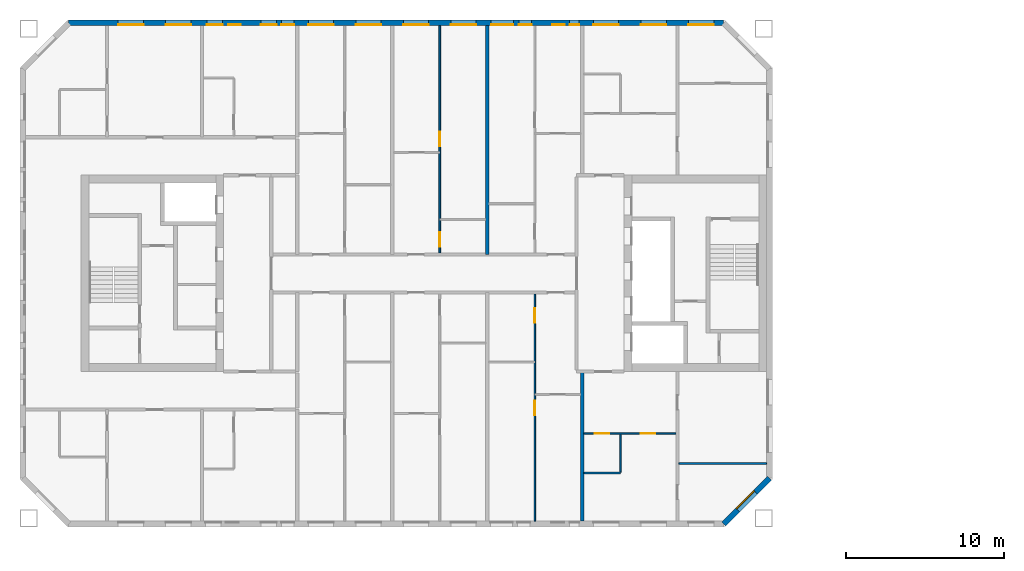
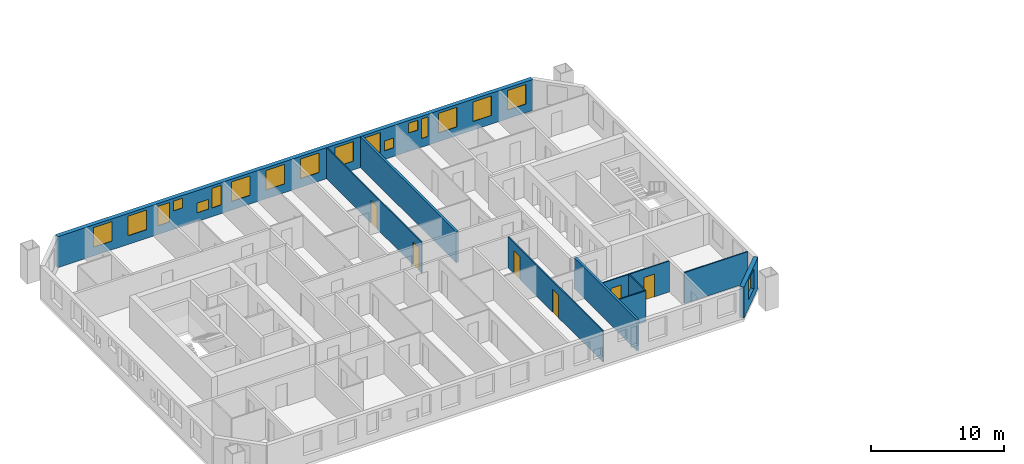
# One storey, part 6 of 16: 18 windows, 10 walls, 6 doors, 24 openings.
"""IFC4 building model written with IfcOpenShell, lengths in metres."""

import ifcopenshell
import ifcopenshell.guid

model = None  # the IFC model being written
_history = None  # IfcOwnerHistory: only IFC2X3 demands one
_inside = {}  # id of a spatial element -> (the spatial element, [elements in it])
_under = {}  # id of a project, library or spatial element -> (it, [spatial elements below it])
_declared = {}  # id of a project -> (the project, [libraries it declares])
_typed = {}  # id of a type object -> (the type object, [elements of that type])
_made_of = {}  # id of a material, layer set ... -> (it, [elements and type objects made of it])


def new_model(schema):
    """Start an empty IFC model of exactly this schema.

    Asked for "IFC4X3", IfcOpenShell would pick the latest addendum, in which some entities
    have other attributes; the version numbers below select the first issue.
    IFC2X3 requires an IfcOwnerHistory on every rooted entity: one is made here for all.
    """
    global model, _history
    if schema == "IFC4X3":
        model = ifcopenshell.file(schema_version=(4, 3, 0, 0))
    else:
        model = ifcopenshell.file(schema=schema)
    _inside.clear()
    _under.clear()
    _declared.clear()
    _typed.clear()
    _made_of.clear()
    _history = None
    if model.schema == "IFC2X3":
        org = make("IfcOrganization", Name="unknown")
        user = make(
            "IfcPersonAndOrganization",
            ThePerson=make("IfcPerson", FamilyName="unknown"),
            TheOrganization=org,
        )
        app = make(
            "IfcApplication",
            ApplicationDeveloper=org,
            Version="unknown",
            ApplicationFullName="unknown",
            ApplicationIdentifier="unknown",
        )
        _history = make(
            "IfcOwnerHistory",
            OwningUser=user,
            OwningApplication=app,
            ChangeAction="ADDED",
            CreationDate=0,
        )
    return model


def make(cls, **values):
    """One entity of the class cls with the attributes given. An attribute that is None is left unset."""
    return model.create_entity(
        cls, **{name: value for name, value in values.items() if value is not None}
    )


def rooted(cls, **values):
    """An entity with a GlobalId (a new one), such as an element, a storey or a relation."""
    return make(cls, GlobalId=ifcopenshell.guid.new(), OwnerHistory=_history, **values)


def si_unit(unit_type, name, prefix=None):
    """IfcSIUnit, for example si_unit("LENGTHUNIT", "METRE", prefix="MILLI")."""
    return make("IfcSIUnit", UnitType=unit_type, Prefix=prefix, Name=name)


def assignment(units):
    """IfcUnitAssignment: the units of a project."""
    return None if units is None else make("IfcUnitAssignment", Units=units)


def point(xyz):
    """IfcCartesianPoint."""
    return None if xyz is None else make("IfcCartesianPoint", Coordinates=xyz)


def direction(xyz):
    """IfcDirection."""
    return None if xyz is None else make("IfcDirection", DirectionRatios=xyz)


def frame(location, z_axis=None, x_axis=None):
    """IfcAxis2Placement3D, a coordinate frame: its origin and axes. An axis left out is left unset."""
    return make(
        "IfcAxis2Placement3D",
        Location=point(location),
        Axis=direction(z_axis),
        RefDirection=direction(x_axis),
    )


def frame_2d(location, x_axis=None):
    """IfcAxis2Placement2D, a coordinate frame in the plane: its origin and x axis."""
    return make(
        "IfcAxis2Placement2D", Location=point(location), RefDirection=direction(x_axis)
    )


def origin():
    """The frame at (0, 0, 0) with its axes left unset."""
    return frame((0.0, 0.0, 0.0))


def place(relative_to, where):
    """IfcLocalPlacement: puts the frame where relative to a parent placement (None: the world)."""
    return make(
        "IfcLocalPlacement", PlacementRelTo=relative_to, RelativePlacement=where
    )


def context(
    kind, dimensions, precision=None, world=None, true_north=None, identifier=None
):
    """IfcGeometricRepresentationContext, for example the 3D "Model" context."""
    return make(
        "IfcGeometricRepresentationContext",
        ContextIdentifier=identifier,
        ContextType=kind,
        CoordinateSpaceDimension=dimensions,
        Precision=precision,
        WorldCoordinateSystem=world,
        TrueNorth=true_north,
    )


def subcontext(parent, identifier, kind, view, scale=None):
    """IfcGeometricRepresentationSubContext, for example "Body" below "Model"."""
    return make(
        "IfcGeometricRepresentationSubContext",
        ContextIdentifier=identifier,
        ContextType=kind,
        ParentContext=parent,
        TargetScale=scale,
        TargetView=view,
    )


def project(units=None, contexts=None):
    """IfcProject with its units and contexts."""
    return rooted(
        "IfcProject",
        Name="project",
        RepresentationContexts=contexts,
        UnitsInContext=assignment(units),
    )


def spatial(cls, under=None, at=None, **own):
    """A site, building, storey or space (cls), placed at a placement, below another one or the project."""
    s = rooted(cls, ObjectPlacement=at, **own)
    if under is not None:
        _under.setdefault(under.id(), (under, []))[1].append(s)
    return s


def profile(cls, at=None, kind="AREA", **sizes):
    """A parametric profile (cls). Its sizes go by their IFC names, for example OverallWidth=200.0."""
    return make(cls, ProfileType=kind, Position=at, **sizes)


def rectangle(**sizes):
    """IfcRectangleProfileDef."""
    return profile("IfcRectangleProfileDef", **sizes)


def extrude(swept, where, along, depth):
    """IfcExtrudedAreaSolid: the profile swept, set in the frame where, extruded along a direction by depth."""
    return make(
        "IfcExtrudedAreaSolid",
        SweptArea=swept,
        Position=where,
        ExtrudedDirection=direction(along),
        Depth=depth,
    )


def shape(context_of_items, identifier, shape_type, items):
    """IfcShapeRepresentation: the items that make up one representation, for example the "Body"."""
    return make(
        "IfcShapeRepresentation",
        ContextOfItems=context_of_items,
        RepresentationIdentifier=identifier,
        RepresentationType=shape_type,
        Items=items,
    )


def material(Name=None, Category=None):
    """IfcMaterial."""
    return make("IfcMaterial", Name=Name, Category=Category)


def layer(
    of_material, thickness, ventilated=None, Name=None, Category=None, Priority=None
):
    """IfcMaterialLayer: one layer of a wall or slab, of a material (None: an air gap)."""
    return make(
        "IfcMaterialLayer",
        Material=of_material,
        LayerThickness=thickness,
        IsVentilated=ventilated,
        Name=Name,
        Category=Category,
        Priority=Priority,
    )


def layer_set(layers, Name=None):
    """IfcMaterialLayerSet."""
    return make("IfcMaterialLayerSet", MaterialLayers=layers, LayerSetName=Name)


def made_of(thing, what):
    """Note that an element or type object is made of a material, layer set ...; save() writes the relation."""
    if what is not None:
        _made_of.setdefault(what.id(), (what, []))[1].append(thing)
    return thing


def type_object(cls, material=None, **own):
    """A type object (cls), such as IfcWallType, which elements share."""
    return made_of(rooted(cls, **own), material)


def element(
    cls,
    number,
    at=None,
    inside=None,
    cuts=None,
    type_object=None,
    material=None,
    context=None,
    identifier="Body",
    shape_type=None,
    held_by="IfcProductDefinitionShape",
    body=None,
    shapes=None,
    **own,
):
    """One element of the class cls, such as IfcWall. Its Tag is "e" and its number.

    at: its placement. inside: the storey or other place that contains it. cuts: it is an
    opening in that element (IfcRelVoidsElement). A single representation is given by context,
    identifier, shape_type and body (its items); several are given by shapes. held_by: the class
    of the entity that holds the representations. save() writes the other relations.
    """
    e = rooted(cls, Tag="e%d" % number, ObjectPlacement=at, **own)
    if body is not None:
        shapes = [shape(context, identifier, shape_type, body)]
    if shapes is not None:
        e.Representation = make(held_by, Representations=shapes)
    if inside is not None:
        _inside.setdefault(inside.id(), (inside, []))[1].append(e)
    if cuts is not None:
        rooted(
            "IfcRelVoidsElement", RelatingBuildingElement=cuts, RelatedOpeningElement=e
        )
    if type_object is not None:
        _typed.setdefault(type_object.id(), (type_object, []))[1].append(e)
    return made_of(e, material)


def fill(opening, filler):
    """IfcRelFillsElement: the door or window that sits in an opening."""
    return rooted(
        "IfcRelFillsElement",
        RelatingOpeningElement=opening,
        RelatedBuildingElement=filler,
    )


def aggregate(whole, parts):
    """IfcRelAggregates: a whole, such as a stair, and the parts it consists of."""
    return rooted("IfcRelAggregates", RelatingObject=whole, RelatedObjects=parts)


def save(model, path):
    """Write the relations noted so far, then the file.

    IfcRelAggregates (storeys below a building ...), IfcRelContainedInSpatialStructure (elements
    in a storey), IfcRelDefinesByType, IfcRelAssociatesMaterial and IfcRelDeclares: one each for
    every whole, place, type object, material and project.
    """
    for whole, parts in _under.values():
        aggregate(whole, parts)
    for where, things in _inside.values():
        rooted(
            "IfcRelContainedInSpatialStructure",
            RelatedElements=things,
            RelatingStructure=where,
        )
    for kind, things in _typed.values():
        rooted("IfcRelDefinesByType", RelatedObjects=things, RelatingType=kind)
    for what, things in _made_of.values():
        rooted("IfcRelAssociatesMaterial", RelatedObjects=things, RelatingMaterial=what)
    for by, libraries in _declared.values():
        rooted("IfcRelDeclares", RelatingContext=by, RelatedDefinitions=libraries)
    model.write(path)


model = new_model("IFC4")

# Units and contexts
model_context = context("Model", 3, precision=1e-05, world=origin(), true_north=direction((0.0, 1.0)))
body_context = subcontext(model_context, "Body", "Model", "MODEL_VIEW")
ifc_project = project(units=[si_unit("LENGTHUNIT", "METRE"), si_unit("AREAUNIT", "SQUARE_METRE"), si_unit("VOLUMEUNIT", "CUBIC_METRE"), si_unit("PLANEANGLEUNIT", "RADIAN"), si_unit("MASSUNIT", "GRAM", prefix="KILO")], contexts=[model_context])

# Site, building, storey
site_placement = place(None, origin())
site = spatial("IfcSite", under=ifc_project, at=site_placement, CompositionType="ELEMENT")
building_placement = place(site_placement, origin())
building = spatial("IfcBuilding", under=site, at=building_placement, Name="Tuart Gate Housing", CompositionType="ELEMENT")
storey_placement = place(building_placement, frame((0.0, 0.0, 157.800048828125)))
storey = spatial("IfcBuildingStorey", under=building, at=storey_placement, Name="L44", CompositionType="ELEMENT", Elevation=157.800048828125)

# Wall, opening, window
ifc_material_1 = material(Name="Brick", Category="masonry")
ifc_layer_1 = layer(ifc_material_1, 0.360107421875)
ifc_layer_set_1 = layer_set([ifc_layer_1], Name="Brick pier and spandrel wall 360")
wall_type_1 = type_object("IfcWallType", Name="Brick pier and spandrel wall 360", PredefinedType="STANDARD", material=ifc_layer_set_1)
wall_1_placement = place(storey_placement, frame((72.92529296875, 54.179931640625, 0.0), z_axis=(0.0, 0.0, 1.0), x_axis=(0.707106781187, 0.707106781187, 0.0)))
wall_1 = element("IfcWall", 1, at=wall_1_placement, inside=storey, type_object=wall_type_1, Name="External wall A-SE L44", PredefinedType="STANDARD", context=body_context, shape_type="SweptSolid", body=[
    extrude(rectangle(XDim=4.09375, YDim=0.360107421875, at=frame_2d((2.046875, 0.0))), origin(), (0.0, 0.0, 1.0), 2.849853515625),
])
opening_1_placement = place(wall_1_placement, frame((1.2470703125, 0.0, 0.800048828125)))
opening_1 = element("IfcOpeningElement", 2, at=opening_1_placement, cuts=wall_1, Name="Opening W1", PredefinedType="OPENING", context=body_context, shape_type="SweptSolid", body=[
    extrude(rectangle(XDim=1.60009765625, YDim=1.800048828125, at=frame_2d((0.800048828125, 0.89990234375))), frame((0.0, 0.18994140625, 0.0), z_axis=(0.0, -1.0, 0.0), x_axis=(1.0, 0.0, 0.0)), (0.0, 0.0, 1.0), 0.380126953125),
])
ifc_material_2 = material(Name="Aluminium frame with clear glass", Category="aluminium")
window_type_1 = type_object("IfcWindowType", Name="Punched window 1600 x 1800", PartitioningType="SINGLE_PANEL", PredefinedType="WINDOW", material=ifc_material_2)
window_1_placement = place(opening_1_placement, origin())
window_1 = element("IfcWindow", 3, at=window_1_placement, inside=storey, type_object=window_type_1, Name="Window W1", OverallHeight=1.800048828125, OverallWidth=1.60009765625, PartitioningType="SINGLE_PANEL", PredefinedType="WINDOW", context=body_context, shape_type="SweptSolid", body=[
    extrude(rectangle(XDim=1.60009765625, YDim=1.800048828125, at=frame_2d((0.800048828125, 0.89990234375))), frame((0.0, 0.150146484375, 0.0), z_axis=(0.0, -1.0, 0.0), x_axis=(1.0, 0.0, 0.0)), (0.0, 0.0, 1.0), 0.06005859375),
])
fill(opening_1, window_1)

# Wall, openings, windows
wall_2_placement = place(storey_placement, frame((72.92529296875, 85.820068359375, 0.0), z_axis=(0.0, 0.0, 1.0), x_axis=(-1.0, 0.0, 0.0)))
wall_2 = element("IfcWall", 4, at=wall_2_placement, inside=storey, type_object=wall_type_1, Name="External wall A-N L44", PredefinedType="STANDARD", context=body_context, shape_type="SweptSolid", body=[
    extrude(rectangle(XDim=41.350830078125, YDim=0.360107421875, at=frame_2d((20.67529296875, 0.0))), origin(), (0.0, 0.0, 1.0), 2.849853515625),
])
opening_2_placement = place(wall_2_placement, frame((0.62548828125, 0.0, 0.800048828125)))
opening_2 = element("IfcOpeningElement", 5, at=opening_2_placement, cuts=wall_2, Name="Opening W1", PredefinedType="OPENING", context=body_context, shape_type="SweptSolid", body=[
    extrude(rectangle(XDim=1.60009765625, YDim=1.800048828125, at=frame_2d((0.800048828125, 0.89990234375))), frame((0.0, 0.18994140625, 0.0), z_axis=(0.0, -1.0, 0.0), x_axis=(1.0, 0.0, 0.0)), (0.0, 0.0, 1.0), 0.380126953125),
])
opening_3_placement = place(wall_2_placement, frame((3.62548828125, 0.0, 0.800048828125)))
opening_3 = element("IfcOpeningElement", 6, at=opening_3_placement, cuts=wall_2, Name="Opening W1", PredefinedType="OPENING", context=body_context, shape_type="SweptSolid", body=[
    extrude(rectangle(XDim=1.60009765625, YDim=1.800048828125, at=frame_2d((0.800048828125, 0.89990234375))), frame((0.0, 0.18994140625, 0.0), z_axis=(0.0, -1.0, 0.0), x_axis=(1.0, 0.0, 0.0)), (0.0, 0.0, 1.0), 0.380126953125),
])
opening_4_placement = place(wall_2_placement, frame((6.62548828125, 0.0, 0.800048828125)))
opening_4 = element("IfcOpeningElement", 7, at=opening_4_placement, cuts=wall_2, Name="Opening W1", PredefinedType="OPENING", context=body_context, shape_type="SweptSolid", body=[
    extrude(rectangle(XDim=1.60009765625, YDim=1.800048828125, at=frame_2d((0.800048828125, 0.89990234375))), frame((0.0, 0.18994140625, 0.0), z_axis=(0.0, -1.0, 0.0), x_axis=(1.0, 0.0, 0.0)), (0.0, 0.0, 1.0), 0.380126953125),
])
opening_5_placement = place(wall_2_placement, frame((9.12548828125, 0.0, 0.800048828125)))
opening_5 = element("IfcOpeningElement", 8, at=opening_5_placement, cuts=wall_2, Name="Opening W1E", PredefinedType="OPENING", context=body_context, shape_type="SweptSolid", body=[
    extrude(rectangle(XDim=0.60009765625, YDim=1.800048828125, at=frame_2d((0.300048828125, 0.89990234375))), frame((0.0, 0.18994140625, 0.0), z_axis=(0.0, -1.0, 0.0), x_axis=(1.0, 0.0, 0.0)), (0.0, 0.0, 1.0), 0.380126953125),
])
opening_6_placement = place(wall_2_placement, frame((12.12548828125, 0.0, 0.800048828125)))
opening_6 = element("IfcOpeningElement", 9, at=opening_6_placement, cuts=wall_2, Name="Opening W1V", PredefinedType="OPENING", context=body_context, shape_type="SweptSolid", body=[
    extrude(rectangle(XDim=0.800048828125, YDim=0.89990234375, at=frame_2d((0.39990234375, 0.449951171875))), frame((0.0, 0.18994140625, 0.0), z_axis=(0.0, -1.0, 0.0), x_axis=(1.0, 0.0, 0.0)), (0.0, 0.0, 1.0), 0.380126953125),
])
opening_7_placement = place(wall_2_placement, frame((15.62548828125, 0.0, 0.800048828125)))
opening_7 = element("IfcOpeningElement", 10, at=opening_7_placement, cuts=wall_2, Name="Opening W1", PredefinedType="OPENING", context=body_context, shape_type="SweptSolid", body=[
    extrude(rectangle(XDim=1.60009765625, YDim=1.800048828125, at=frame_2d((0.800048828125, 0.89990234375))), frame((0.0, 0.18994140625, 0.0), z_axis=(0.0, -1.0, 0.0), x_axis=(1.0, 0.0, 0.0)), (0.0, 0.0, 1.0), 0.380126953125),
])
opening_8_placement = place(wall_2_placement, frame((18.62548828125, 0.0, 0.800048828125)))
opening_8 = element("IfcOpeningElement", 11, at=opening_8_placement, cuts=wall_2, Name="Opening W1", PredefinedType="OPENING", context=body_context, shape_type="SweptSolid", body=[
    extrude(rectangle(XDim=1.60009765625, YDim=1.800048828125, at=frame_2d((0.800048828125, 0.89990234375))), frame((0.0, 0.18994140625, 0.0), z_axis=(0.0, -1.0, 0.0), x_axis=(1.0, 0.0, 0.0)), (0.0, 0.0, 1.0), 0.380126953125),
])
opening_9_placement = place(wall_2_placement, frame((21.62548828125, 0.0, 0.800048828125)))
opening_9 = element("IfcOpeningElement", 12, at=opening_9_placement, cuts=wall_2, Name="Opening W1", PredefinedType="OPENING", context=body_context, shape_type="SweptSolid", body=[
    extrude(rectangle(XDim=1.60009765625, YDim=1.800048828125, at=frame_2d((0.800048828125, 0.89990234375))), frame((0.0, 0.18994140625, 0.0), z_axis=(0.0, -1.0, 0.0), x_axis=(1.0, 0.0, 0.0)), (0.0, 0.0, 1.0), 0.380126953125),
])
opening_10_placement = place(wall_2_placement, frame((24.62548828125, 0.0, 0.800048828125)))
opening_10 = element("IfcOpeningElement", 13, at=opening_10_placement, cuts=wall_2, Name="Opening W1", PredefinedType="OPENING", context=body_context, shape_type="SweptSolid", body=[
    extrude(rectangle(XDim=1.60009765625, YDim=1.800048828125, at=frame_2d((0.800048828125, 0.89990234375))), frame((0.0, 0.18994140625, 0.0), z_axis=(0.0, -1.0, 0.0), x_axis=(1.0, 0.0, 0.0)), (0.0, 0.0, 1.0), 0.380126953125),
])
opening_11_placement = place(wall_2_placement, frame((27.12548828125, 0.0, 0.800048828125)))
opening_11 = element("IfcOpeningElement", 14, at=opening_11_placement, cuts=wall_2, Name="Opening W1D", PredefinedType="OPENING", context=body_context, shape_type="SweptSolid", body=[
    extrude(rectangle(XDim=0.800048828125, YDim=1.800048828125, at=frame_2d((0.39990234375, 0.89990234375))), frame((0.0, 0.18994140625, 0.0), z_axis=(0.0, -1.0, 0.0), x_axis=(1.0, 0.0, 0.0)), (0.0, 0.0, 1.0), 0.380126953125),
])
opening_12_placement = place(wall_2_placement, frame((28.225341796875, 0.0, 0.800048828125)))
opening_12 = element("IfcOpeningElement", 15, at=opening_12_placement, cuts=wall_2, Name="Opening W1U", PredefinedType="OPENING", context=body_context, shape_type="SweptSolid", body=[
    extrude(rectangle(XDim=1.0, YDim=0.89990234375, at=frame_2d((0.5, 0.449951171875))), frame((0.0, 0.18994140625, 0.0), z_axis=(0.0, -1.0, 0.0), x_axis=(1.0, 0.0, 0.0)), (0.0, 0.0, 1.0), 0.380126953125),
])
opening_13_placement = place(wall_2_placement, frame((33.62548828125, 0.0, 0.800048828125)))
opening_13 = element("IfcOpeningElement", 16, at=opening_13_placement, cuts=wall_2, Name="Opening W1", PredefinedType="OPENING", context=body_context, shape_type="SweptSolid", body=[
    extrude(rectangle(XDim=1.60009765625, YDim=1.800048828125, at=frame_2d((0.800048828125, 0.89990234375))), frame((0.0, 0.18994140625, 0.0), z_axis=(0.0, -1.0, 0.0), x_axis=(1.0, 0.0, 0.0)), (0.0, 0.0, 1.0), 0.380126953125),
])
opening_14_placement = place(wall_2_placement, frame((36.62548828125, 0.0, 0.800048828125)))
opening_14 = element("IfcOpeningElement", 17, at=opening_14_placement, cuts=wall_2, Name="Opening W1", PredefinedType="OPENING", context=body_context, shape_type="SweptSolid", body=[
    extrude(rectangle(XDim=1.60009765625, YDim=1.800048828125, at=frame_2d((0.800048828125, 0.89990234375))), frame((0.0, 0.18994140625, 0.0), z_axis=(0.0, -1.0, 0.0), x_axis=(1.0, 0.0, 0.0)), (0.0, 0.0, 1.0), 0.380126953125),
])
opening_15_placement = place(wall_2_placement, frame((10.025390625, 0.0, 1.699951171875)))
opening_15 = element("IfcOpeningElement", 18, at=opening_15_placement, cuts=wall_2, Name="Opening W1V", PredefinedType="OPENING", context=body_context, shape_type="SweptSolid", body=[
    extrude(rectangle(XDim=0.800048828125, YDim=0.89990234375, at=frame_2d((0.39990234375, 0.449951171875))), frame((0.0, 0.18994140625, 0.0), z_axis=(0.0, -1.0, 0.0), x_axis=(1.0, 0.0, 0.0)), (0.0, 0.0, 1.0), 0.380126953125),
])
opening_16_placement = place(wall_2_placement, frame((13.275390625, 0.0, 0.800048828125)))
opening_16 = element("IfcOpeningElement", 19, at=opening_16_placement, cuts=wall_2, Name="Opening W1A", PredefinedType="OPENING", context=body_context, shape_type="SweptSolid", body=[
    extrude(rectangle(XDim=1.39990234375, YDim=1.800048828125, at=frame_2d((0.699951171875, 0.89990234375))), frame((0.0, 0.18994140625, 0.0), z_axis=(0.0, -1.0, 0.0), x_axis=(1.0, 0.0, 0.0)), (0.0, 0.0, 1.0), 0.380126953125),
])
opening_17_placement = place(wall_2_placement, frame((30.475341796875, 0.0, 1.699951171875)))
opening_17 = element("IfcOpeningElement", 20, at=opening_17_placement, cuts=wall_2, Name="Opening W1V", PredefinedType="OPENING", context=body_context, shape_type="SweptSolid", body=[
    extrude(rectangle(XDim=0.800048828125, YDim=0.89990234375, at=frame_2d((0.39990234375, 0.449951171875))), frame((0.0, 0.18994140625, 0.0), z_axis=(0.0, -1.0, 0.0), x_axis=(1.0, 0.0, 0.0)), (0.0, 0.0, 1.0), 0.380126953125),
])
opening_18_placement = place(wall_2_placement, frame((31.62548828125, 0.0, 0.800048828125)))
opening_18 = element("IfcOpeningElement", 21, at=opening_18_placement, cuts=wall_2, Name="Opening W1C", PredefinedType="OPENING", context=body_context, shape_type="SweptSolid", body=[
    extrude(rectangle(XDim=1.0, YDim=1.800048828125, at=frame_2d((0.5, 0.89990234375))), frame((0.0, 0.18994140625, 0.0), z_axis=(0.0, -1.0, 0.0), x_axis=(1.0, 0.0, 0.0)), (0.0, 0.0, 1.0), 0.380126953125),
])
ifc_material_3 = material(Name="Aluminium frame with clear glass", Category="aluminium")
window_type_2 = type_object("IfcWindowType", Name="Punched window 1000 x 1800", PartitioningType="SINGLE_PANEL", PredefinedType="WINDOW", material=ifc_material_3)
window_2_placement = place(opening_18_placement, origin())
window_2 = element("IfcWindow", 22, at=window_2_placement, inside=storey, type_object=window_type_2, Name="Window W1C", OverallHeight=1.800048828125, OverallWidth=1.0, PartitioningType="SINGLE_PANEL", PredefinedType="WINDOW", context=body_context, shape_type="SweptSolid", body=[
    extrude(rectangle(XDim=1.0, YDim=1.800048828125, at=frame_2d((0.5, 0.89990234375))), frame((0.0, 0.150146484375, 0.0), z_axis=(0.0, -1.0, 0.0), x_axis=(1.0, 0.0, 0.0)), (0.0, 0.0, 1.0), 0.06005859375),
])
fill(opening_18, window_2)
ifc_material_4 = material(Name="Aluminium frame with clear glass", Category="aluminium")
window_type_3 = type_object("IfcWindowType", Name="Punched window 1000 x 900", PartitioningType="SINGLE_PANEL", PredefinedType="WINDOW", material=ifc_material_4)
window_3_placement = place(opening_12_placement, origin())
window_3 = element("IfcWindow", 23, at=window_3_placement, inside=storey, type_object=window_type_3, Name="Window W1U", OverallHeight=0.89990234375, OverallWidth=1.0, PartitioningType="SINGLE_PANEL", PredefinedType="WINDOW", context=body_context, shape_type="SweptSolid", body=[
    extrude(rectangle(XDim=1.0, YDim=0.89990234375, at=frame_2d((0.5, 0.449951171875))), frame((0.0, 0.150146484375, 0.0), z_axis=(0.0, -1.0, 0.0), x_axis=(1.0, 0.0, 0.0)), (0.0, 0.0, 1.0), 0.06005859375),
])
fill(opening_12, window_3)
ifc_material_5 = material(Name="Aluminium frame with clear glass", Category="aluminium")
window_type_4 = type_object("IfcWindowType", Name="Punched window 1400 x 1800", PartitioningType="SINGLE_PANEL", PredefinedType="WINDOW", material=ifc_material_5)
window_4_placement = place(opening_16_placement, origin())
window_4 = element("IfcWindow", 24, at=window_4_placement, inside=storey, type_object=window_type_4, Name="Window W1A", OverallHeight=1.800048828125, OverallWidth=1.39990234375, PartitioningType="SINGLE_PANEL", PredefinedType="WINDOW", context=body_context, shape_type="SweptSolid", body=[
    extrude(rectangle(XDim=1.39990234375, YDim=1.800048828125, at=frame_2d((0.699951171875, 0.89990234375))), frame((0.0, 0.150146484375, 0.0), z_axis=(0.0, -1.0, 0.0), x_axis=(1.0, 0.0, 0.0)), (0.0, 0.0, 1.0), 0.06005859375),
])
fill(opening_16, window_4)
window_5_placement = place(opening_2_placement, origin())
window_5 = element("IfcWindow", 25, at=window_5_placement, inside=storey, type_object=window_type_1, Name="Window W1", OverallHeight=1.800048828125, OverallWidth=1.60009765625, PartitioningType="SINGLE_PANEL", PredefinedType="WINDOW", context=body_context, shape_type="SweptSolid", body=[
    extrude(rectangle(XDim=1.60009765625, YDim=1.800048828125, at=frame_2d((0.800048828125, 0.89990234375))), frame((0.0, 0.150146484375, 0.0), z_axis=(0.0, -1.0, 0.0), x_axis=(1.0, 0.0, 0.0)), (0.0, 0.0, 1.0), 0.06005859375),
])
fill(opening_2, window_5)
window_6_placement = place(opening_3_placement, origin())
window_6 = element("IfcWindow", 26, at=window_6_placement, inside=storey, type_object=window_type_1, Name="Window W1", OverallHeight=1.800048828125, OverallWidth=1.60009765625, PartitioningType="SINGLE_PANEL", PredefinedType="WINDOW", context=body_context, shape_type="SweptSolid", body=[
    extrude(rectangle(XDim=1.60009765625, YDim=1.800048828125, at=frame_2d((0.800048828125, 0.89990234375))), frame((0.0, 0.150146484375, 0.0), z_axis=(0.0, -1.0, 0.0), x_axis=(1.0, 0.0, 0.0)), (0.0, 0.0, 1.0), 0.06005859375),
])
fill(opening_3, window_6)
window_7_placement = place(opening_4_placement, origin())
window_7 = element("IfcWindow", 27, at=window_7_placement, inside=storey, type_object=window_type_1, Name="Window W1", OverallHeight=1.800048828125, OverallWidth=1.60009765625, PartitioningType="SINGLE_PANEL", PredefinedType="WINDOW", context=body_context, shape_type="SweptSolid", body=[
    extrude(rectangle(XDim=1.60009765625, YDim=1.800048828125, at=frame_2d((0.800048828125, 0.89990234375))), frame((0.0, 0.150146484375, 0.0), z_axis=(0.0, -1.0, 0.0), x_axis=(1.0, 0.0, 0.0)), (0.0, 0.0, 1.0), 0.06005859375),
])
fill(opening_4, window_7)
window_8_placement = place(opening_7_placement, origin())
window_8 = element("IfcWindow", 28, at=window_8_placement, inside=storey, type_object=window_type_1, Name="Window W1", OverallHeight=1.800048828125, OverallWidth=1.60009765625, PartitioningType="SINGLE_PANEL", PredefinedType="WINDOW", context=body_context, shape_type="SweptSolid", body=[
    extrude(rectangle(XDim=1.60009765625, YDim=1.800048828125, at=frame_2d((0.800048828125, 0.89990234375))), frame((0.0, 0.150146484375, 0.0), z_axis=(0.0, -1.0, 0.0), x_axis=(1.0, 0.0, 0.0)), (0.0, 0.0, 1.0), 0.06005859375),
])
fill(opening_7, window_8)
window_9_placement = place(opening_8_placement, origin())
window_9 = element("IfcWindow", 29, at=window_9_placement, inside=storey, type_object=window_type_1, Name="Window W1", OverallHeight=1.800048828125, OverallWidth=1.60009765625, PartitioningType="SINGLE_PANEL", PredefinedType="WINDOW", context=body_context, shape_type="SweptSolid", body=[
    extrude(rectangle(XDim=1.60009765625, YDim=1.800048828125, at=frame_2d((0.800048828125, 0.89990234375))), frame((0.0, 0.150146484375, 0.0), z_axis=(0.0, -1.0, 0.0), x_axis=(1.0, 0.0, 0.0)), (0.0, 0.0, 1.0), 0.06005859375),
])
fill(opening_8, window_9)
window_10_placement = place(opening_9_placement, origin())
window_10 = element("IfcWindow", 30, at=window_10_placement, inside=storey, type_object=window_type_1, Name="Window W1", OverallHeight=1.800048828125, OverallWidth=1.60009765625, PartitioningType="SINGLE_PANEL", PredefinedType="WINDOW", context=body_context, shape_type="SweptSolid", body=[
    extrude(rectangle(XDim=1.60009765625, YDim=1.800048828125, at=frame_2d((0.800048828125, 0.89990234375))), frame((0.0, 0.150146484375, 0.0), z_axis=(0.0, -1.0, 0.0), x_axis=(1.0, 0.0, 0.0)), (0.0, 0.0, 1.0), 0.06005859375),
])
fill(opening_9, window_10)
window_11_placement = place(opening_10_placement, origin())
window_11 = element("IfcWindow", 31, at=window_11_placement, inside=storey, type_object=window_type_1, Name="Window W1", OverallHeight=1.800048828125, OverallWidth=1.60009765625, PartitioningType="SINGLE_PANEL", PredefinedType="WINDOW", context=body_context, shape_type="SweptSolid", body=[
    extrude(rectangle(XDim=1.60009765625, YDim=1.800048828125, at=frame_2d((0.800048828125, 0.89990234375))), frame((0.0, 0.150146484375, 0.0), z_axis=(0.0, -1.0, 0.0), x_axis=(1.0, 0.0, 0.0)), (0.0, 0.0, 1.0), 0.06005859375),
])
fill(opening_10, window_11)
window_12_placement = place(opening_13_placement, origin())
window_12 = element("IfcWindow", 32, at=window_12_placement, inside=storey, type_object=window_type_1, Name="Window W1", OverallHeight=1.800048828125, OverallWidth=1.60009765625, PartitioningType="SINGLE_PANEL", PredefinedType="WINDOW", context=body_context, shape_type="SweptSolid", body=[
    extrude(rectangle(XDim=1.60009765625, YDim=1.800048828125, at=frame_2d((0.800048828125, 0.89990234375))), frame((0.0, 0.150146484375, 0.0), z_axis=(0.0, -1.0, 0.0), x_axis=(1.0, 0.0, 0.0)), (0.0, 0.0, 1.0), 0.06005859375),
])
fill(opening_13, window_12)
window_13_placement = place(opening_14_placement, origin())
window_13 = element("IfcWindow", 33, at=window_13_placement, inside=storey, type_object=window_type_1, Name="Window W1", OverallHeight=1.800048828125, OverallWidth=1.60009765625, PartitioningType="SINGLE_PANEL", PredefinedType="WINDOW", context=body_context, shape_type="SweptSolid", body=[
    extrude(rectangle(XDim=1.60009765625, YDim=1.800048828125, at=frame_2d((0.800048828125, 0.89990234375))), frame((0.0, 0.150146484375, 0.0), z_axis=(0.0, -1.0, 0.0), x_axis=(1.0, 0.0, 0.0)), (0.0, 0.0, 1.0), 0.06005859375),
])
fill(opening_14, window_13)
ifc_material_6 = material(Name="Aluminium frame with clear glass", Category="aluminium")
window_type_5 = type_object("IfcWindowType", Name="Punched window 600 x 1800", PartitioningType="SINGLE_PANEL", PredefinedType="WINDOW", material=ifc_material_6)
window_14_placement = place(opening_5_placement, origin())
window_14 = element("IfcWindow", 34, at=window_14_placement, inside=storey, type_object=window_type_5, Name="Window W1E", OverallHeight=1.800048828125, OverallWidth=0.60009765625, PartitioningType="SINGLE_PANEL", PredefinedType="WINDOW", context=body_context, shape_type="SweptSolid", body=[
    extrude(rectangle(XDim=0.60009765625, YDim=1.800048828125, at=frame_2d((0.300048828125, 0.89990234375))), frame((0.0, 0.150146484375, 0.0), z_axis=(0.0, -1.0, 0.0), x_axis=(1.0, 0.0, 0.0)), (0.0, 0.0, 1.0), 0.06005859375),
])
fill(opening_5, window_14)
ifc_material_7 = material(Name="Aluminium frame with clear glass", Category="aluminium")
window_type_6 = type_object("IfcWindowType", Name="Punched window 800 x 1800", PartitioningType="SINGLE_PANEL", PredefinedType="WINDOW", material=ifc_material_7)
window_15_placement = place(opening_11_placement, origin())
window_15 = element("IfcWindow", 35, at=window_15_placement, inside=storey, type_object=window_type_6, Name="Window W1D", OverallHeight=1.800048828125, OverallWidth=0.800048828125, PartitioningType="SINGLE_PANEL", PredefinedType="WINDOW", context=body_context, shape_type="SweptSolid", body=[
    extrude(rectangle(XDim=0.800048828125, YDim=1.800048828125, at=frame_2d((0.39990234375, 0.89990234375))), frame((0.0, 0.150146484375, 0.0), z_axis=(0.0, -1.0, 0.0), x_axis=(1.0, 0.0, 0.0)), (0.0, 0.0, 1.0), 0.06005859375),
])
fill(opening_11, window_15)
ifc_material_8 = material(Name="Aluminium frame with clear glass", Category="aluminium")
window_type_7 = type_object("IfcWindowType", Name="Punched window 800 x 900", PartitioningType="SINGLE_PANEL", PredefinedType="WINDOW", material=ifc_material_8)
window_16_placement = place(opening_6_placement, origin())
window_16 = element("IfcWindow", 36, at=window_16_placement, inside=storey, type_object=window_type_7, Name="Window W1V", OverallHeight=0.89990234375, OverallWidth=0.800048828125, PartitioningType="SINGLE_PANEL", PredefinedType="WINDOW", context=body_context, shape_type="SweptSolid", body=[
    extrude(rectangle(XDim=0.800048828125, YDim=0.89990234375, at=frame_2d((0.39990234375, 0.449951171875))), frame((0.0, 0.150146484375, 0.0), z_axis=(0.0, -1.0, 0.0), x_axis=(1.0, 0.0, 0.0)), (0.0, 0.0, 1.0), 0.06005859375),
])
fill(opening_6, window_16)
window_17_placement = place(opening_15_placement, origin())
window_17 = element("IfcWindow", 37, at=window_17_placement, inside=storey, type_object=window_type_7, Name="Window W1V", OverallHeight=0.89990234375, OverallWidth=0.800048828125, PartitioningType="SINGLE_PANEL", PredefinedType="WINDOW", context=body_context, shape_type="SweptSolid", body=[
    extrude(rectangle(XDim=0.800048828125, YDim=0.89990234375, at=frame_2d((0.39990234375, 0.449951171875))), frame((0.0, 0.150146484375, 0.0), z_axis=(0.0, -1.0, 0.0), x_axis=(1.0, 0.0, 0.0)), (0.0, 0.0, 1.0), 0.06005859375),
])
fill(opening_15, window_17)
window_18_placement = place(opening_17_placement, origin())
window_18 = element("IfcWindow", 38, at=window_18_placement, inside=storey, type_object=window_type_7, Name="Window W1V", OverallHeight=0.89990234375, OverallWidth=0.800048828125, PartitioningType="SINGLE_PANEL", PredefinedType="WINDOW", context=body_context, shape_type="SweptSolid", body=[
    extrude(rectangle(XDim=0.800048828125, YDim=0.89990234375, at=frame_2d((0.39990234375, 0.449951171875))), frame((0.0, 0.150146484375, 0.0), z_axis=(0.0, -1.0, 0.0), x_axis=(1.0, 0.0, 0.0)), (0.0, 0.0, 1.0), 0.06005859375),
])
fill(opening_17, window_18)

# Walls
ifc_material_9 = material(Name="Gypsum board on steel studs", Category="steel")
ifc_layer_2 = layer(ifc_material_9, 0.10009765625)
ifc_layer_set_2 = layer_set([ifc_layer_2], Name="Partition 100")
wall_type_2 = type_object("IfcWallType", Name="Partition 100", PredefinedType="PARTITIONING", material=ifc_layer_set_2)
wall_3_placement = place(storey_placement, frame((64.10009765625, 57.39990234375, 0.0), z_axis=(0.0, 0.0, 1.0), x_axis=(1.0, 0.0, 0.0)))
element("IfcWall", 39, at=wall_3_placement, inside=storey, type_object=wall_type_2, Name="Partition 100", PredefinedType="PARTITIONING", context=body_context, shape_type="SweptSolid", body=[
    extrude(rectangle(XDim=2.2998046875, YDim=0.10009765625, at=frame_2d((1.14990234375, 0.0))), origin(), (0.0, 0.0, 1.0), 2.849853515625),
])
wall_4_placement = place(storey_placement, frame((70.10009765625, 58.0, 0.0), z_axis=(0.0, 0.0, 1.0), x_axis=(1.0, 0.0, 0.0)))
element("IfcWall", 40, at=wall_4_placement, inside=storey, type_object=wall_type_2, Name="Partition 100", PredefinedType="PARTITIONING", context=body_context, shape_type="SweptSolid", body=[
    extrude(rectangle(XDim=5.539794921875, YDim=0.10009765625, at=frame_2d((2.77001953125, 0.0))), origin(), (0.0, 0.0, 1.0), 2.849853515625),
])

# Wall, openings, doors
wall_5_placement = place(storey_placement, frame((64.10009765625, 59.89990234375, 0.0), z_axis=(0.0, 0.0, 1.0), x_axis=(1.0, 0.0, 0.0)))
wall_5 = element("IfcWall", 41, at=wall_5_placement, inside=storey, type_object=wall_type_2, Name="Partition 100", PredefinedType="PARTITIONING", context=body_context, shape_type="SweptSolid", body=[
    extrude(rectangle(XDim=5.7998046875, YDim=0.10009765625, at=frame_2d((2.89990234375, 0.0))), origin(), (0.0, 0.0, 1.0), 2.849853515625),
])
opening_19_placement = place(wall_5_placement, frame((3.60009765625, 0.0, 0.0)))
opening_19 = element("IfcOpeningElement", 42, at=opening_19_placement, cuts=wall_5, Name="Opening D1675", PredefinedType="OPENING", context=body_context, shape_type="SweptSolid", body=[
    extrude(rectangle(XDim=0.89990234375, YDim=2.10009765625, at=frame_2d((0.449951171875, 1.050048828125))), frame((0.0, 0.06005859375, 0.0), z_axis=(0.0, -1.0, 0.0), x_axis=(1.0, 0.0, 0.0)), (0.0, 0.0, 1.0), 0.1201171875),
])
opening_20_placement = place(wall_5_placement, frame((0.699951171875, 0.0, 0.0)))
opening_20 = element("IfcOpeningElement", 43, at=opening_20_placement, cuts=wall_5, Name="Opening D1674", PredefinedType="OPENING", context=body_context, shape_type="SweptSolid", body=[
    extrude(rectangle(XDim=0.89990234375, YDim=2.10009765625, at=frame_2d((0.449951171875, 1.050048828125))), frame((0.0, 0.06005859375, 0.0), z_axis=(0.0, -1.0, 0.0), x_axis=(1.0, 0.0, 0.0)), (0.0, 0.0, 1.0), 0.1201171875),
])
ifc_material_10 = material(Name="Timber door leaf in steel frame", Category="steel")
door_type_1 = type_object("IfcDoorType", Name="Bathroom door 900", OperationType="SINGLE_SWING_LEFT", PredefinedType="DOOR", material=ifc_material_10)
door_1_placement = place(opening_20_placement, frame((0.89990234375, 0.0, 0.0), z_axis=(0.0, 0.0, 1.0), x_axis=(-1.0, 0.0, 0.0)))
door_1 = element("IfcDoor", 44, at=door_1_placement, inside=storey, type_object=door_type_1, Name="Bathroom door", OperationType="SINGLE_SWING_LEFT", OverallHeight=2.10009765625, OverallWidth=0.89990234375, PredefinedType="DOOR", context=body_context, shape_type="SweptSolid", body=[
    extrude(rectangle(XDim=0.89990234375, YDim=2.10009765625, at=frame_2d((0.449951171875, 1.050048828125))), frame((0.0, 0.025146484375, 0.0), z_axis=(0.0, -1.0, 0.0), x_axis=(1.0, 0.0, 0.0)), (0.0, 0.0, 1.0), 0.050048828125),
])
fill(opening_20, door_1)
ifc_material_11 = material(Name="Timber door leaf in steel frame", Category="steel")
door_type_2 = type_object("IfcDoorType", Name="Internal door 900 RH", OperationType="SINGLE_SWING_RIGHT", PredefinedType="DOOR", material=ifc_material_11)
door_2_placement = place(opening_19_placement, origin())
door_2 = element("IfcDoor", 45, at=door_2_placement, inside=storey, type_object=door_type_2, Name="Internal door", OperationType="SINGLE_SWING_RIGHT", OverallHeight=2.10009765625, OverallWidth=0.89990234375, PredefinedType="DOOR", context=body_context, shape_type="SweptSolid", body=[
    extrude(rectangle(XDim=0.89990234375, YDim=2.10009765625, at=frame_2d((0.449951171875, 1.050048828125))), frame((0.0, 0.02490234375, 0.0), z_axis=(0.0, -1.0, 0.0), x_axis=(1.0, 0.0, 0.0)), (0.0, 0.0, 1.0), 0.050048828125),
])
fill(opening_19, door_2)

wall_6_placement = place(storey_placement, frame((55.0, 71.300048828125, 0.0), z_axis=(0.0, 0.0, 1.0), x_axis=(0.0, 1.0, 0.0)))
wall_6 = element("IfcWall", 46, at=wall_6_placement, inside=storey, type_object=wall_type_2, Name="Partition 100", PredefinedType="PARTITIONING", context=body_context, shape_type="SweptSolid", body=[
    extrude(rectangle(XDim=14.33984375, YDim=0.10009765625, at=frame_2d((7.169921875, 0.0))), origin(), (0.0, 0.0, 1.0), 2.849853515625),
])
opening_21_placement = place(wall_6_placement, frame((6.739990234375, 0.0, 0.0)))
opening_21 = element("IfcOpeningElement", 47, at=opening_21_placement, cuts=wall_6, Name="Opening D1637", PredefinedType="OPENING", context=body_context, shape_type="SweptSolid", body=[
    extrude(rectangle(XDim=0.89990234375, YDim=2.10009765625, at=frame_2d((0.449951171875, 1.050048828125))), frame((0.0, 0.06005859375, 0.0), z_axis=(0.0, -1.0, 0.0), x_axis=(1.0, 0.0, 0.0)), (0.0, 0.0, 1.0), 0.1201171875),
])
opening_22_placement = place(wall_6_placement, frame((0.39990234375, 0.0, 0.0)))
opening_22 = element("IfcOpeningElement", 48, at=opening_22_placement, cuts=wall_6, Name="Opening D1636", PredefinedType="OPENING", context=body_context, shape_type="SweptSolid", body=[
    extrude(rectangle(XDim=0.89990234375, YDim=2.10009765625, at=frame_2d((0.449951171875, 1.050048828125))), frame((0.0, 0.06005859375, 0.0), z_axis=(0.0, -1.0, 0.0), x_axis=(1.0, 0.0, 0.0)), (0.0, 0.0, 1.0), 0.1201171875),
])
ifc_material_12 = material(Name="Timber door leaf in steel frame", Category="steel")
door_type_3 = type_object("IfcDoorType", Name="Bathroom door 900 RH", OperationType="SINGLE_SWING_RIGHT", PredefinedType="DOOR", material=ifc_material_12)
door_3_placement = place(opening_22_placement, frame((0.89990234375, 0.0, 0.0), z_axis=(0.0, 0.0, 1.0), x_axis=(-1.0, 0.0, 0.0)))
door_3 = element("IfcDoor", 49, at=door_3_placement, inside=storey, type_object=door_type_3, Name="Bathroom door", OperationType="SINGLE_SWING_RIGHT", OverallHeight=2.10009765625, OverallWidth=0.89990234375, PredefinedType="DOOR", context=body_context, shape_type="SweptSolid", body=[
    extrude(rectangle(XDim=0.89990234375, YDim=2.10009765625, at=frame_2d((0.449951171875, 1.050048828125))), frame((0.0, 0.025146484375, 0.0), z_axis=(0.0, -1.0, 0.0), x_axis=(1.0, 0.0, 0.0)), (0.0, 0.0, 1.0), 0.050048828125),
])
fill(opening_22, door_3)
door_4_placement = place(opening_21_placement, frame((0.89990234375, 0.0, 0.0), z_axis=(0.0, 0.0, 1.0), x_axis=(-1.0, 0.0, 0.0)))
door_4 = element("IfcDoor", 50, at=door_4_placement, inside=storey, type_object=door_type_2, Name="Internal door", OperationType="SINGLE_SWING_RIGHT", OverallHeight=2.10009765625, OverallWidth=0.89990234375, PredefinedType="DOOR", context=body_context, shape_type="SweptSolid", body=[
    extrude(rectangle(XDim=0.89990234375, YDim=2.10009765625, at=frame_2d((0.449951171875, 1.050048828125))), frame((0.0, 0.025146484375, 0.0), z_axis=(0.0, -1.0, 0.0), x_axis=(1.0, 0.0, 0.0)), (0.0, 0.0, 1.0), 0.050048828125),
])
fill(opening_21, door_4)

wall_7_placement = place(storey_placement, frame((61.0, 54.360107421875, 0.0), z_axis=(0.0, 0.0, 1.0), x_axis=(0.0, 1.0, 0.0)))
wall_7 = element("IfcWall", 51, at=wall_7_placement, inside=storey, type_object=wall_type_2, Name="Partition 100", PredefinedType="PARTITIONING", context=body_context, shape_type="SweptSolid", body=[
    extrude(rectangle(XDim=14.33984375, YDim=0.10009765625, at=frame_2d((7.169921875, 0.0))), origin(), (0.0, 0.0, 1.0), 2.849853515625),
])
opening_23_placement = place(wall_7_placement, frame((6.699951171875, 0.0, 0.0)))
opening_23 = element("IfcOpeningElement", 52, at=opening_23_placement, cuts=wall_7, Name="Opening D1669", PredefinedType="OPENING", context=body_context, shape_type="SweptSolid", body=[
    extrude(rectangle(XDim=0.89990234375, YDim=2.10009765625, at=frame_2d((0.449951171875, 1.050048828125))), frame((0.0, 0.06005859375, 0.0), z_axis=(0.0, -1.0, 0.0), x_axis=(1.0, 0.0, 0.0)), (0.0, 0.0, 1.0), 0.1201171875),
])
opening_24_placement = place(wall_7_placement, frame((12.5400390625, 0.0, 0.0)))
opening_24 = element("IfcOpeningElement", 53, at=opening_24_placement, cuts=wall_7, Name="Opening D1668", PredefinedType="OPENING", context=body_context, shape_type="SweptSolid", body=[
    extrude(rectangle(XDim=0.89990234375, YDim=2.10009765625, at=frame_2d((0.449951171875, 1.050048828125))), frame((0.0, 0.06005859375, 0.0), z_axis=(0.0, -1.0, 0.0), x_axis=(1.0, 0.0, 0.0)), (0.0, 0.0, 1.0), 0.1201171875),
])
door_5_placement = place(opening_24_placement, origin())
door_5 = element("IfcDoor", 54, at=door_5_placement, inside=storey, type_object=door_type_3, Name="Bathroom door", OperationType="SINGLE_SWING_RIGHT", OverallHeight=2.10009765625, OverallWidth=0.89990234375, PredefinedType="DOOR", context=body_context, shape_type="SweptSolid", body=[
    extrude(rectangle(XDim=0.89990234375, YDim=2.10009765625, at=frame_2d((0.449951171875, 1.050048828125))), frame((0.0, 0.02490234375, 0.0), z_axis=(0.0, -1.0, 0.0), x_axis=(1.0, 0.0, 0.0)), (0.0, 0.0, 1.0), 0.050048828125),
])
fill(opening_24, door_5)
door_6_placement = place(opening_23_placement, origin())
door_6 = element("IfcDoor", 55, at=door_6_placement, inside=storey, type_object=door_type_2, Name="Internal door", OperationType="SINGLE_SWING_RIGHT", OverallHeight=2.10009765625, OverallWidth=0.89990234375, PredefinedType="DOOR", context=body_context, shape_type="SweptSolid", body=[
    extrude(rectangle(XDim=0.89990234375, YDim=2.10009765625, at=frame_2d((0.449951171875, 1.050048828125))), frame((0.0, 0.02490234375, 0.0), z_axis=(0.0, -1.0, 0.0), x_axis=(1.0, 0.0, 0.0)), (0.0, 0.0, 1.0), 0.050048828125),
])
fill(opening_23, door_6)

# Walls
wall_8_placement = place(storey_placement, frame((66.39990234375, 57.449951171875, 0.0), z_axis=(0.0, 0.0, 1.0), x_axis=(0.0, 1.0, 0.0)))
element("IfcWall", 56, at=wall_8_placement, inside=storey, type_object=wall_type_2, Name="Partition 100", PredefinedType="PARTITIONING", context=body_context, shape_type="SweptSolid", body=[
    extrude(rectangle(XDim=2.400146484375, YDim=0.10009765625, at=frame_2d((1.2001953125, 0.0))), origin(), (0.0, 0.0, 1.0), 2.849853515625),
])
ifc_material_13 = material(Name="Concrete C40", Category="concrete")
ifc_layer_3 = layer(ifc_material_13, 0.199951171875)
ifc_layer_set_3 = layer_set([ifc_layer_3], Name="Party wall concrete C40 200")
wall_type_3 = type_object("IfcWallType", Name="Party wall concrete C40 200", PredefinedType="SOLIDWALL", material=ifc_layer_set_3)
wall_9_placement = place(storey_placement, frame((58.0, 71.199951171875, 0.0), z_axis=(0.0, 0.0, 1.0), x_axis=(0.0, 1.0, 0.0)))
element("IfcWall", 57, at=wall_9_placement, inside=storey, type_object=wall_type_3, Name="Party wall concrete C40 200", PredefinedType="SOLIDWALL", context=body_context, shape_type="SweptSolid", body=[
    extrude(rectangle(XDim=14.43994140625, YDim=0.199951171875, at=frame_2d((7.219970703125, 0.0))), origin(), (0.0, 0.0, 1.0), 2.849853515625),
])
wall_10_placement = place(storey_placement, frame((64.0, 54.360107421875, 0.0), z_axis=(0.0, 0.0, 1.0), x_axis=(0.0, 1.0, 0.0)))
element("IfcWall", 58, at=wall_10_placement, inside=storey, type_object=wall_type_3, Name="Party wall concrete C40 200", PredefinedType="SOLIDWALL", context=body_context, shape_type="SweptSolid", body=[
    extrude(rectangle(XDim=9.43994140625, YDim=0.199951171875, at=frame_2d((4.719970703125, 0.0))), origin(), (0.0, 0.0, 1.0), 2.849853515625),
])

save(model, "model.ifc")
